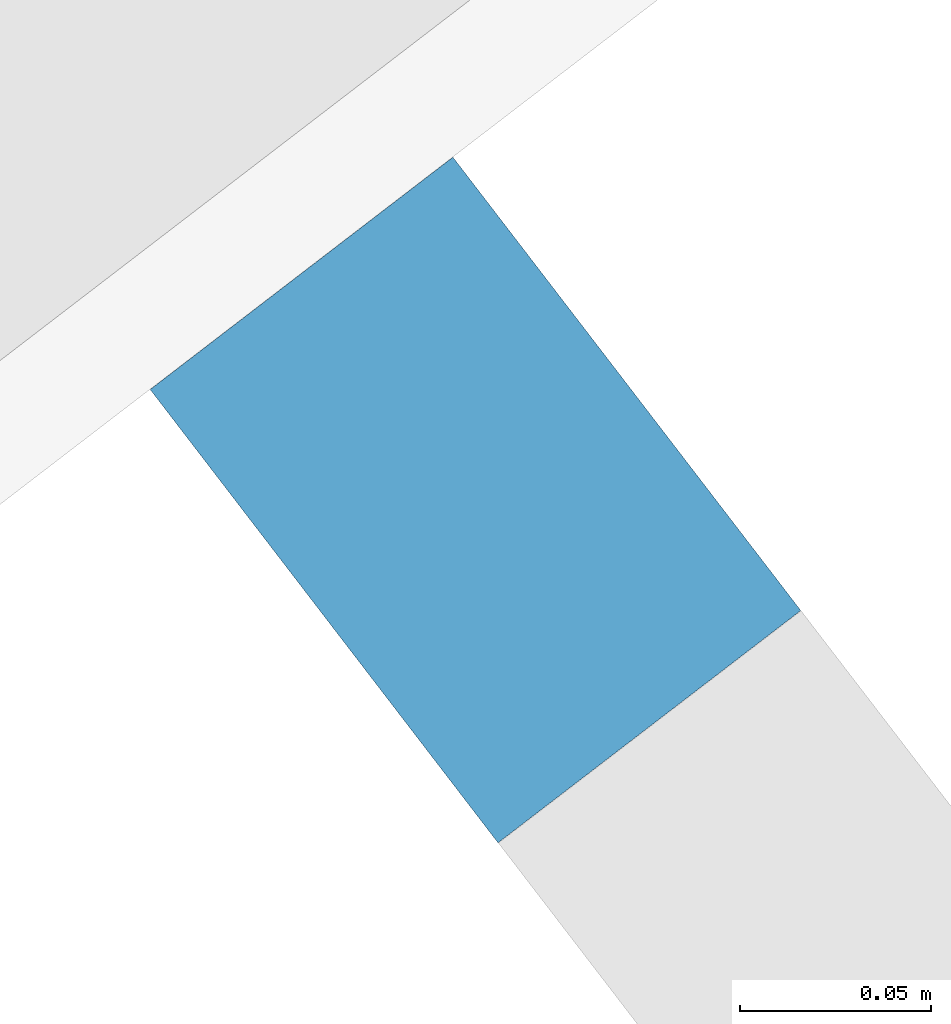
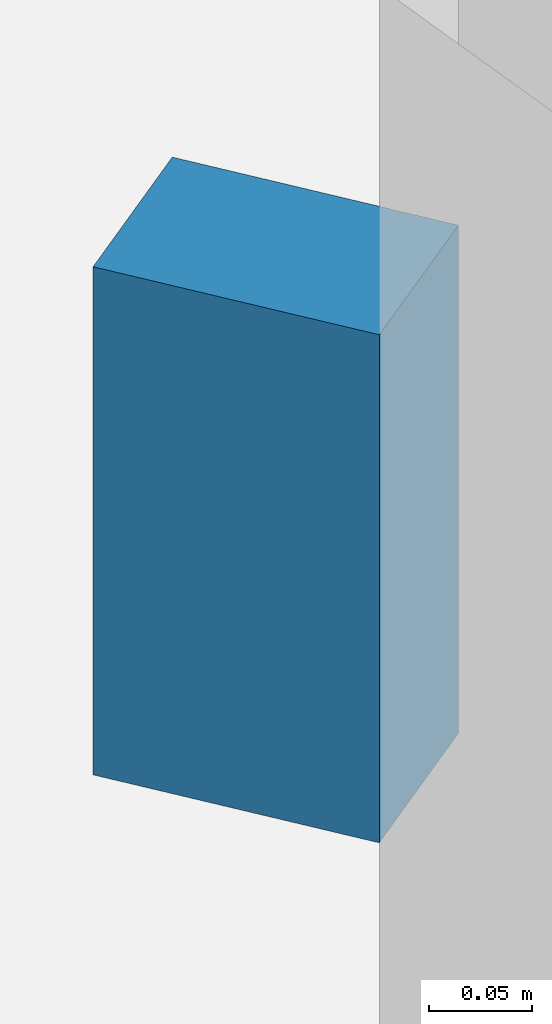
# One storey, part 9 of 28: 1 discrete accessory.
"""IFC4 building model written with IfcOpenShell, lengths in metres."""

from ifc_helpers import new_model, si_unit, direction, frame, origin, origin_2d, place, context, subcontext, project, spatial, rectangle, extrude, material, type_object, element, save


model = new_model("IFC4")

# Units and contexts
model_context = context("Model", 3, precision=1e-05, world=origin(), true_north=direction((0.0, 1.0)))
body_context = subcontext(model_context, "Body", "Model", "MODEL_VIEW")
ifc_project = project(units=[si_unit("LENGTHUNIT", "METRE"), si_unit("AREAUNIT", "SQUARE_METRE"), si_unit("VOLUMEUNIT", "CUBIC_METRE"), si_unit("PLANEANGLEUNIT", "RADIAN"), si_unit("MASSUNIT", "GRAM", prefix="KILO")], contexts=[model_context])

# Site, building, storey
site_placement = place(None, origin())
site = spatial("IfcSite", under=ifc_project, at=site_placement, CompositionType="ELEMENT")
building_placement = place(site_placement, origin())
building = spatial("IfcBuilding", under=site, at=building_placement, Name="Qamariyya Broadcast Tower", CompositionType="ELEMENT")
storey_placement = place(building_placement, frame((0.0, 0.0, 218.89990234375)))
storey = spatial("IfcBuildingStorey", under=building, at=storey_placement, Name="L52", CompositionType="ELEMENT", Elevation=218.89990234375)

# Discrete accessory
ifc_material = material(Name="Stainless steel 316", Category="steel")
discrete_accessory_type = type_object("IfcDiscreteAccessoryType", Name="Slab edge fixing angle, stainless steel", PredefinedType="BRACKET", material=ifc_material)
discrete_accessory_placement = place(storey_placement, frame((44.761474609375, -64.671630859375, 3.30029296875), z_axis=(0.0, 0.0, 1.0), x_axis=(0.793353340291, 0.608761429009, 0.0)))
element("IfcDiscreteAccessory", 1, at=discrete_accessory_placement, inside=storey, type_object=discrete_accessory_type, Name="e-br-L52-13-0", PredefinedType="BRACKET", context=body_context, shape_type="SweptSolid", body=[
    extrude(rectangle(XDim=0.10009765625, YDim=0.14990234375, at=origin_2d()), origin(), (0.0, 0.0, 1.0), 0.300048828125),
])

save(model, "model.ifc")
